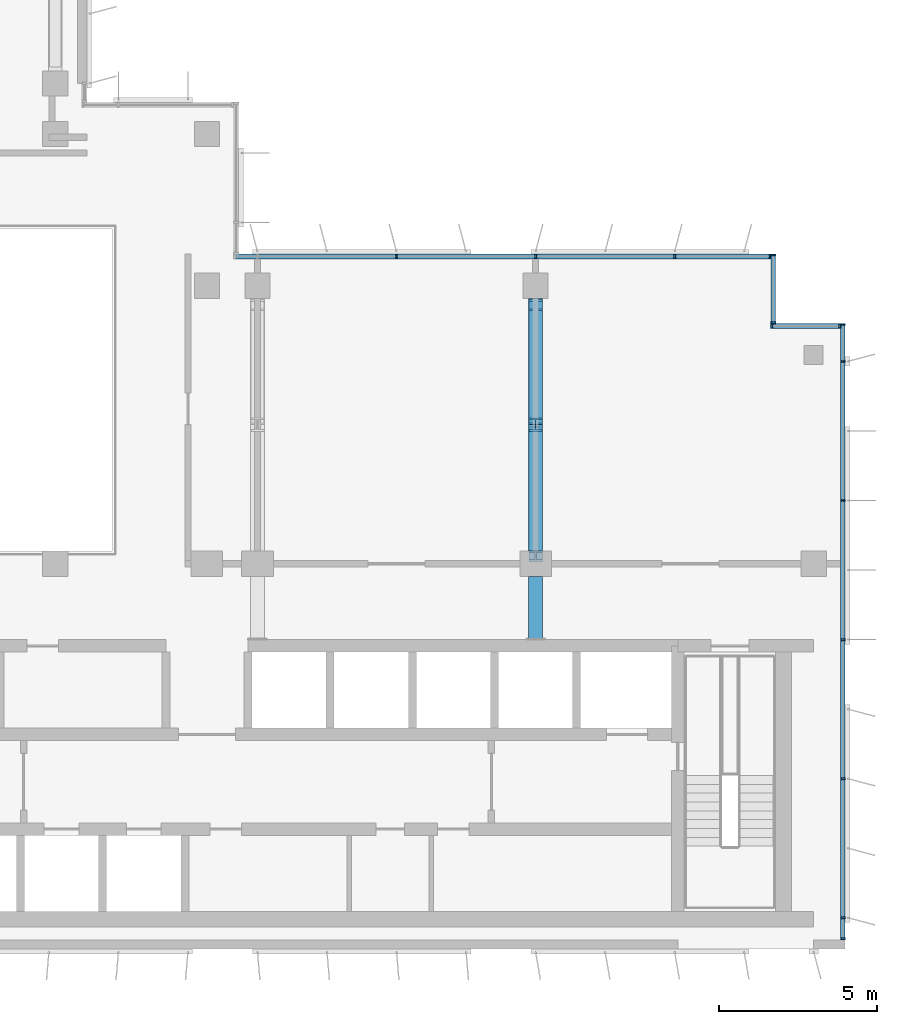
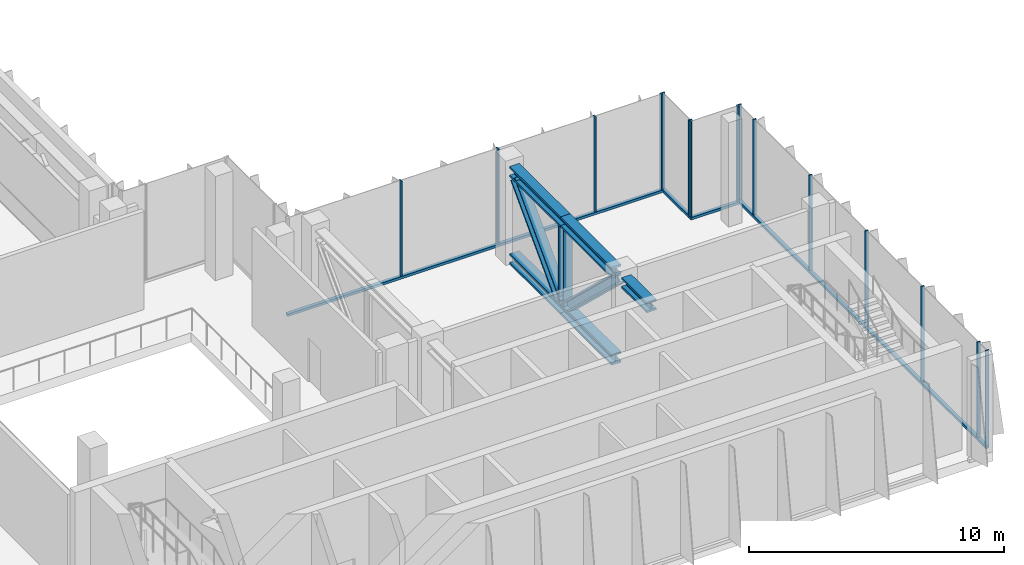
# One storey, part 3 of 13: 22 members, 5 beams, 4 elements without a shape of their own.
"""IFC4 building model written with IfcOpenShell, lengths in metres."""

from ifc_helpers import new_model, si_unit, direction, frame, origin, origin_2d, place, context, subcontext, project, spatial, rectangle, i_section, extrude, source, transform, mapped, material, material_profile, profile_set, type_object, element, aggregate, save


model = new_model("IFC4")

# Units and contexts
model_context = context("Model", 3, precision=1e-05, world=origin(), true_north=direction((0.0, 1.0)))
body_context = subcontext(model_context, "Body", "Model", "MODEL_VIEW")
ifc_project = project(units=[si_unit("LENGTHUNIT", "METRE"), si_unit("AREAUNIT", "SQUARE_METRE"), si_unit("VOLUMEUNIT", "CUBIC_METRE"), si_unit("PLANEANGLEUNIT", "RADIAN"), si_unit("MASSUNIT", "GRAM", prefix="KILO")], contexts=[model_context])

# Site, building, storey
site_placement = place(None, origin())
site = spatial("IfcSite", under=ifc_project, at=site_placement, CompositionType="ELEMENT")
building_placement = place(site_placement, origin())
building = spatial("IfcBuilding", under=site, at=building_placement, Name="Kemantara Hotel Tower", CompositionType="ELEMENT")
storey_placement = place(building_placement, frame((0.0, 0.0, 256.10009765625)))
storey = spatial("IfcBuildingStorey", under=building, at=storey_placement, Name="L64", CompositionType="ELEMENT", Elevation=256.10009765625)

# Beams
ifc_material_1 = material(Name="Steel ASTM A992 Grade 50", Category="steel")
ifc_material_profile_1 = material_profile(ifc_material_1, i_section(OverallWidth=0.43701171875, OverallDepth=0.512939453125, WebThickness=0.060546875, FlangeThickness=0.096923828125, at=origin_2d()), Name="W360X818")
ifc_profile_set_1 = profile_set([ifc_material_profile_1], Name="Steel ASTM A992 Grade 50")
beam_type = type_object("IfcBeamType", Name="OUTRIGGER TRUSS L64 CHORD W360X818", PredefinedType="BEAM", material=ifc_profile_set_1)
for number, where, z_axis, x_axis, name in (
    (1, (36.199951171875, 12.60009765625, 0.25634765625), (0.0, 1.0, 0.0), (-1.0, 0.0, 0.0), "OUTRIGGER L64 T2 bottom chord 2"),
    (2, (36.199951171875, 16.60009765625, 0.25634765625), (0.0, 1.0, 0.0), (-1.0, 0.0, 0.0), "OUTRIGGER L64 T2 bottom chord 3"),
):
    element("IfcBeam", number, at=place(storey_placement, frame(where, z_axis=z_axis, x_axis=x_axis)), inside=storey, type_object=beam_type, Name=name, PredefinedType="BEAM", context=body_context, shape_type="SweptSolid", body=[
        extrude(i_section(OverallWidth=0.43701171875, OverallDepth=0.512939453125, WebThickness=0.060546875, FlangeThickness=0.096923828125, at=origin_2d()), origin(), (0.0, 0.0, 1.0), 4.0),
    ])
beam_placement = place(storey_placement, frame((36.199951171875, 9.840087890625, 4.443359375), z_axis=(0.0, 1.0, 0.0), x_axis=(-1.0, 0.0, 0.0)))
element("IfcBeam", 3, at=beam_placement, inside=storey, type_object=beam_type, Name="OUTRIGGER L64 T2 top chord 1", PredefinedType="BEAM", context=body_context, shape_type="SweptSolid", body=[
    extrude(i_section(OverallWidth=0.43701171875, OverallDepth=0.512939453125, WebThickness=0.060546875, FlangeThickness=0.096923828125, at=origin_2d()), origin(), (0.0, 0.0, 1.0), 1.9599609375),
])
for number, where, z_axis, x_axis, name in (
    (4, (36.199951171875, 12.60009765625, 4.443359375), (0.0, 1.0, 0.0), (-1.0, 0.0, 0.0), "OUTRIGGER L64 T2 top chord 2"),
    (5, (36.199951171875, 16.60009765625, 4.443359375), (0.0, 1.0, 0.0), (-1.0, 0.0, 0.0), "OUTRIGGER L64 T2 top chord 3"),
):
    element("IfcBeam", number, at=place(storey_placement, frame(where, z_axis=z_axis, x_axis=x_axis)), inside=storey, type_object=beam_type, Name=name, PredefinedType="BEAM", context=body_context, shape_type="SweptSolid", body=[
        extrude(i_section(OverallWidth=0.43701171875, OverallDepth=0.512939453125, WebThickness=0.060546875, FlangeThickness=0.096923828125, at=origin_2d()), origin(), (0.0, 0.0, 1.0), 4.0),
    ])

# Members
ifc_material_profile_2 = material_profile(ifc_material_1, i_section(OverallWidth=0.424072265625, OverallDepth=0.47509765625, WebThickness=0.0478515625, FlangeThickness=0.0771484375, at=origin_2d()), Name="W360X634")
ifc_profile_set_2 = profile_set([ifc_material_profile_2], Name="Steel ASTM A992 Grade 50")
member_type_1 = type_object("IfcMemberType", Name="OUTRIGGER TRUSS L64 DIAGONAL W360X634", PredefinedType="BRACE", material=ifc_profile_set_2)
member_1_placement = place(storey_placement, frame((36.199951171875, 16.36083984375, 0.48388671875), z_axis=(0.0, -0.72443171708, 0.689346565443), x_axis=(1.0, 0.0, 0.0)))
element("IfcMember", 6, at=member_1_placement, inside=storey, type_object=member_type_1, Name="OUTRIGGER L64 T2 diagonal 2", PredefinedType="BRACE", context=body_context, shape_type="SweptSolid", body=[
    extrude(i_section(OverallWidth=0.424072265625, OverallDepth=0.47509765625, WebThickness=0.0478515625, FlangeThickness=0.0771484375, at=origin_2d()), origin(), (0.0, 0.0, 1.0), 5.413818359375),
])
member_2_placement = place(storey_placement, frame((36.199951171875, 16.8173828125, 0.48388671875), z_axis=(0.0, 0.690768202808, 0.723076268446), x_axis=(-1.0, 0.0, 0.0)))
element("IfcMember", 7, at=member_2_placement, inside=storey, type_object=member_type_1, Name="OUTRIGGER L64 T2 diagonal 3", PredefinedType="BRACE", context=body_context, shape_type="SweptSolid", body=[
    extrude(i_section(OverallWidth=0.424072265625, OverallDepth=0.47509765625, WebThickness=0.0478515625, FlangeThickness=0.0771484375, at=origin_2d()), origin(), (0.0, 0.0, 1.0), 5.1611328125),
])
ifc_material_profile_3 = material_profile(ifc_material_1, i_section(OverallWidth=0.410888671875, OverallDepth=0.43408203125, WebThickness=0.035888671875, FlangeThickness=0.057373046875, at=origin_2d()), Name="W360X463")
ifc_profile_set_3 = profile_set([ifc_material_profile_3], Name="Steel ASTM A992 Grade 50")
member_type_2 = type_object("IfcMemberType", Name="OUTRIGGER TRUSS L64 POST W360X463", PredefinedType="POST", material=ifc_profile_set_3)
member_3_placement = place(storey_placement, frame((36.199951171875, 16.60009765625, 0.512939453125), z_axis=(0.0, 0.0, 1.0), x_axis=(1.0, 0.0, 0.0)))
element("IfcMember", 8, at=member_3_placement, inside=storey, type_object=member_type_2, Name="OUTRIGGER L64 T2 post 3", PredefinedType="POST", context=body_context, shape_type="SweptSolid", body=[
    extrude(i_section(OverallWidth=0.410888671875, OverallDepth=0.43408203125, WebThickness=0.035888671875, FlangeThickness=0.057373046875, at=origin_2d()), origin(), (0.0, 0.0, 1.0), 3.674072265625),
])

# Curtain wall, member
ifc_material_2 = material(Name="Low-E tinted double insulated glass 36 mm", Category="glass")
curtain_wall_type = type_object("IfcCurtainWallType", Name="TOWER CURTAIN WALL, FRONT FACES", PredefinedType="USERDEFINED", material=ifc_material_2)
curtain_wall_1_placement = place(storey_placement, origin())
curtain_wall_1 = element("IfcCurtainWall", 9, at=curtain_wall_1_placement, inside=storey, type_object=curtain_wall_type, Name="CW4 L64 T4-R09-1", ObjectType="TOWER CURTAIN WALL, FRONT FACES", PredefinedType="USERDEFINED")
ifc_material_3 = material(Name="Aluminium 6063-T6 bronze anodised", Category="aluminium")
ifc_material_profile_4 = material_profile(ifc_material_3, rectangle(XDim=0.14990234375, YDim=0.1201171875, at=origin_2d()), Name="TOWER CURTAIN WALL, FRONT FACES TRANSOM")
ifc_profile_set_4 = profile_set([ifc_material_profile_4], Name="Aluminium 6063-T6 bronze anodised")
member_type_3 = type_object("IfcMemberType", Name="TOWER CURTAIN WALL, FRONT FACES TRANSOM", PredefinedType="USERDEFINED", material=ifc_profile_set_4)
member_4_placement = place(storey_placement, frame((45.925048828125, 0.300048828125, 0.059814453125), z_axis=(0.0, 1.0, 0.0), x_axis=(-1.0, 0.0, 0.0)))
member_4 = element("IfcMember", 10, at=member_4_placement, type_object=member_type_3, Name="CW4 sill transom T4-R09-1", ObjectType="TRANSOM", PredefinedType="USERDEFINED", context=body_context, shape_type="SweptSolid", body=[
    extrude(rectangle(XDim=0.14990234375, YDim=0.1201171875, at=origin_2d()), origin(), (0.0, 0.0, 1.0), 19.5),
])

curtain_wall_2_placement = place(storey_placement, origin())
curtain_wall_2 = element("IfcCurtainWall", 11, at=curtain_wall_2_placement, inside=storey, type_object=curtain_wall_type, Name="CW4 L64 T4-R12-1", ObjectType="TOWER CURTAIN WALL, FRONT FACES", PredefinedType="USERDEFINED")
member_5_placement = place(storey_placement, frame((43.64990234375, 21.925048828125, 0.059814453125), z_axis=(-1.0, 0.0, 0.0), x_axis=(0.0, -1.0, 0.0)))
member_5 = element("IfcMember", 12, at=member_5_placement, type_object=member_type_3, Name="CW4 sill transom T4-R12-1", ObjectType="TRANSOM", PredefinedType="USERDEFINED", context=body_context, shape_type="SweptSolid", body=[
    extrude(rectangle(XDim=0.14990234375, YDim=0.1201171875, at=origin_2d()), origin(), (0.0, 0.0, 1.0), 17.0),
])

curtain_wall_3_placement = place(storey_placement, origin())
curtain_wall_3 = element("IfcCurtainWall", 13, at=curtain_wall_3_placement, inside=storey, type_object=curtain_wall_type, Name="CW4 L64 T4-R10-1", ObjectType="TOWER CURTAIN WALL, FRONT FACES", PredefinedType="USERDEFINED")
member_6_placement = place(storey_placement, frame((45.85009765625, 19.72509765625, 0.059814453125), z_axis=(-1.0, 0.0, 0.0), x_axis=(0.0, -1.0, 0.0)))
member_6 = element("IfcMember", 14, at=member_6_placement, type_object=member_type_3, Name="CW4 sill transom T4-R10-1", ObjectType="TRANSOM", PredefinedType="USERDEFINED", context=body_context, shape_type="SweptSolid", body=[
    extrude(rectangle(XDim=0.14990234375, YDim=0.1201171875, at=origin_2d()), origin(), (0.0, 0.0, 1.0), 2.2001953125),
])

curtain_wall_4_placement = place(storey_placement, origin())
curtain_wall_4 = element("IfcCurtainWall", 15, at=curtain_wall_4_placement, inside=storey, type_object=curtain_wall_type, Name="CW4 L64 T4-R11-1", ObjectType="TOWER CURTAIN WALL, FRONT FACES", PredefinedType="USERDEFINED")
member_7_placement = place(storey_placement, frame((43.72509765625, 19.800048828125, 0.059814453125), z_axis=(0.0, 1.0, 0.0), x_axis=(-1.0, 0.0, 0.0)))
member_7 = element("IfcMember", 16, at=member_7_placement, type_object=member_type_3, Name="CW4 sill transom T4-R11-1", ObjectType="TRANSOM", PredefinedType="USERDEFINED", context=body_context, shape_type="SweptSolid", body=[
    extrude(rectangle(XDim=0.14990234375, YDim=0.1201171875, at=origin_2d()), origin(), (0.0, 0.0, 1.0), 2.199951171875),
])

# Member
ifc_material_profile_5 = material_profile(ifc_material_3, rectangle(XDim=0.14990234375, YDim=0.06005859375, at=origin_2d()), Name="TOWER CURTAIN WALL, FRONT FACES MULLION")
ifc_profile_set_5 = profile_set([ifc_material_profile_5], Name="Aluminium 6063-T6 bronze anodised")
member_type_4 = type_object("IfcMemberType", Name="TOWER CURTAIN WALL, FRONT FACES MULLION", PredefinedType="MULLION", material=ifc_profile_set_5)
shared_shape = source(origin(), body_context, "Body", "SweptSolid", [
    extrude(rectangle(XDim=0.14990234375, YDim=0.06005859375, at=origin_2d()), origin(), (0.0, 0.0, 1.0), 4.580078125),
])
member_8_placement = place(storey_placement, frame((45.925048828125, 0.330078125, 0.119873046875), z_axis=(0.0, 0.0, 1.0), x_axis=(-1.0, 0.0, 0.0)))
member_8 = element("IfcMember", 17, at=member_8_placement, type_object=member_type_4, Name="CW4 mullion T4-R09-1.1", PredefinedType="MULLION", context=body_context, shape_type="MappedRepresentation", body=[
    mapped(shared_shape, transform((0.0, 0.0, 0.0))),
])

member_9_placement = place(storey_placement, frame((45.925048828125, 1.0, 0.119873046875), z_axis=(0.0, 0.0, 1.0), x_axis=(-1.0, 0.0, 0.0)))
member_9 = element("IfcMember", 18, at=member_9_placement, type_object=member_type_4, Name="CW4 mullion T4-R09-1.2", PredefinedType="MULLION", context=body_context, shape_type="MappedRepresentation", body=[
    mapped(shared_shape, transform((0.0, 0.0, 0.0))),
])

member_10_placement = place(storey_placement, frame((45.925048828125, 5.39990234375, 0.119873046875), z_axis=(0.0, 0.0, 1.0), x_axis=(-1.0, 0.0, 0.0)))
member_10 = element("IfcMember", 19, at=member_10_placement, type_object=member_type_4, Name="CW4 mullion T4-R09-1.3", PredefinedType="MULLION", context=body_context, shape_type="MappedRepresentation", body=[
    mapped(shared_shape, transform((0.0, 0.0, 0.0))),
])

member_11_placement = place(storey_placement, frame((45.925048828125, 9.800048828125, 0.119873046875), z_axis=(0.0, 0.0, 1.0), x_axis=(-1.0, 0.0, 0.0)))
member_11 = element("IfcMember", 20, at=member_11_placement, type_object=member_type_4, Name="CW4 mullion T4-R09-1.4", PredefinedType="MULLION", context=body_context, shape_type="MappedRepresentation", body=[
    mapped(shared_shape, transform((0.0, 0.0, 0.0))),
])

member_12_placement = place(storey_placement, frame((45.925048828125, 14.199951171875, 0.119873046875), z_axis=(0.0, 0.0, 1.0), x_axis=(-1.0, 0.0, 0.0)))
member_12 = element("IfcMember", 21, at=member_12_placement, type_object=member_type_4, Name="CW4 mullion T4-R09-1.5", PredefinedType="MULLION", context=body_context, shape_type="MappedRepresentation", body=[
    mapped(shared_shape, transform((0.0, 0.0, 0.0))),
])

member_13_placement = place(storey_placement, frame((45.925048828125, 18.60009765625, 0.119873046875), z_axis=(0.0, 0.0, 1.0), x_axis=(-1.0, 0.0, 0.0)))
member_13 = element("IfcMember", 22, at=member_13_placement, type_object=member_type_4, Name="CW4 mullion T4-R09-1.6", PredefinedType="MULLION", context=body_context, shape_type="MappedRepresentation", body=[
    mapped(shared_shape, transform((0.0, 0.0, 0.0))),
])

member_14_placement = place(storey_placement, frame((45.925048828125, 19.77001953125, 0.119873046875), z_axis=(0.0, 0.0, 1.0), x_axis=(-1.0, 0.0, 0.0)))
member_14 = element("IfcMember", 23, at=member_14_placement, type_object=member_type_4, Name="CW4 mullion T4-R09-1.7", PredefinedType="MULLION", context=body_context, shape_type="MappedRepresentation", body=[
    mapped(shared_shape, transform((0.0, 0.0, 0.0))),
])

aggregate(curtain_wall_1, [member_4, member_8, member_9, member_10, member_11, member_12, member_13, member_14])

member_15_placement = place(storey_placement, frame((43.6201171875, 21.925048828125, 0.119873046875), z_axis=(0.0, 0.0, 1.0), x_axis=(0.0, -1.0, 0.0)))
member_15 = element("IfcMember", 24, at=member_15_placement, type_object=member_type_4, Name="CW4 mullion T4-R12-1.1", PredefinedType="MULLION", context=body_context, shape_type="MappedRepresentation", body=[
    mapped(shared_shape, transform((0.0, 0.0, 0.0))),
])

member_16_placement = place(storey_placement, frame((40.60009765625, 21.925048828125, 0.119873046875), z_axis=(0.0, 0.0, 1.0), x_axis=(0.0, -1.0, 0.0)))
member_16 = element("IfcMember", 25, at=member_16_placement, type_object=member_type_4, Name="CW4 mullion T4-R12-1.2", PredefinedType="MULLION", context=body_context, shape_type="MappedRepresentation", body=[
    mapped(shared_shape, transform((0.0, 0.0, 0.0))),
])

member_17_placement = place(storey_placement, frame((36.199951171875, 21.925048828125, 0.119873046875), z_axis=(0.0, 0.0, 1.0), x_axis=(0.0, -1.0, 0.0)))
member_17 = element("IfcMember", 26, at=member_17_placement, type_object=member_type_4, Name="CW4 mullion T4-R12-1.3", PredefinedType="MULLION", context=body_context, shape_type="MappedRepresentation", body=[
    mapped(shared_shape, transform((0.0, 0.0, 0.0))),
])

member_18_placement = place(storey_placement, frame((31.800048828125, 21.925048828125, 0.119873046875), z_axis=(0.0, 0.0, 1.0), x_axis=(0.0, -1.0, 0.0)))
member_18 = element("IfcMember", 27, at=member_18_placement, type_object=member_type_4, Name="CW4 mullion T4-R12-1.4", PredefinedType="MULLION", context=body_context, shape_type="MappedRepresentation", body=[
    mapped(shared_shape, transform((0.0, 0.0, 0.0))),
])

aggregate(curtain_wall_2, [member_5, member_15, member_16, member_17, member_18])

member_19_placement = place(storey_placement, frame((45.820068359375, 19.72509765625, 0.119873046875), z_axis=(0.0, 0.0, 1.0), x_axis=(0.0, -1.0, 0.0)))
member_19 = element("IfcMember", 28, at=member_19_placement, type_object=member_type_4, Name="CW4 mullion T4-R10-1.1", PredefinedType="MULLION", context=body_context, shape_type="MappedRepresentation", body=[
    mapped(shared_shape, transform((0.0, 0.0, 0.0))),
])

member_20_placement = place(storey_placement, frame((43.679931640625, 19.72509765625, 0.119873046875), z_axis=(0.0, 0.0, 1.0), x_axis=(0.0, -1.0, 0.0)))
member_20 = element("IfcMember", 29, at=member_20_placement, type_object=member_type_4, Name="CW4 mullion T4-R10-1.2", PredefinedType="MULLION", context=body_context, shape_type="MappedRepresentation", body=[
    mapped(shared_shape, transform((0.0, 0.0, 0.0))),
])

aggregate(curtain_wall_3, [member_6, member_19, member_20])

member_21_placement = place(storey_placement, frame((43.72509765625, 19.830078125, 0.119873046875), z_axis=(0.0, 0.0, 1.0), x_axis=(-1.0, 0.0, 0.0)))
member_21 = element("IfcMember", 30, at=member_21_placement, type_object=member_type_4, Name="CW4 mullion T4-R11-1.1", PredefinedType="MULLION", context=body_context, shape_type="MappedRepresentation", body=[
    mapped(shared_shape, transform((0.0, 0.0, 0.0))),
])

member_22_placement = place(storey_placement, frame((43.72509765625, 21.969970703125, 0.119873046875), z_axis=(0.0, 0.0, 1.0), x_axis=(-1.0, 0.0, 0.0)))
member_22 = element("IfcMember", 31, at=member_22_placement, type_object=member_type_4, Name="CW4 mullion T4-R11-1.2", PredefinedType="MULLION", context=body_context, shape_type="MappedRepresentation", body=[
    mapped(shared_shape, transform((0.0, 0.0, 0.0))),
])

aggregate(curtain_wall_4, [member_7, member_21, member_22])

save(model, "model.ifc")
